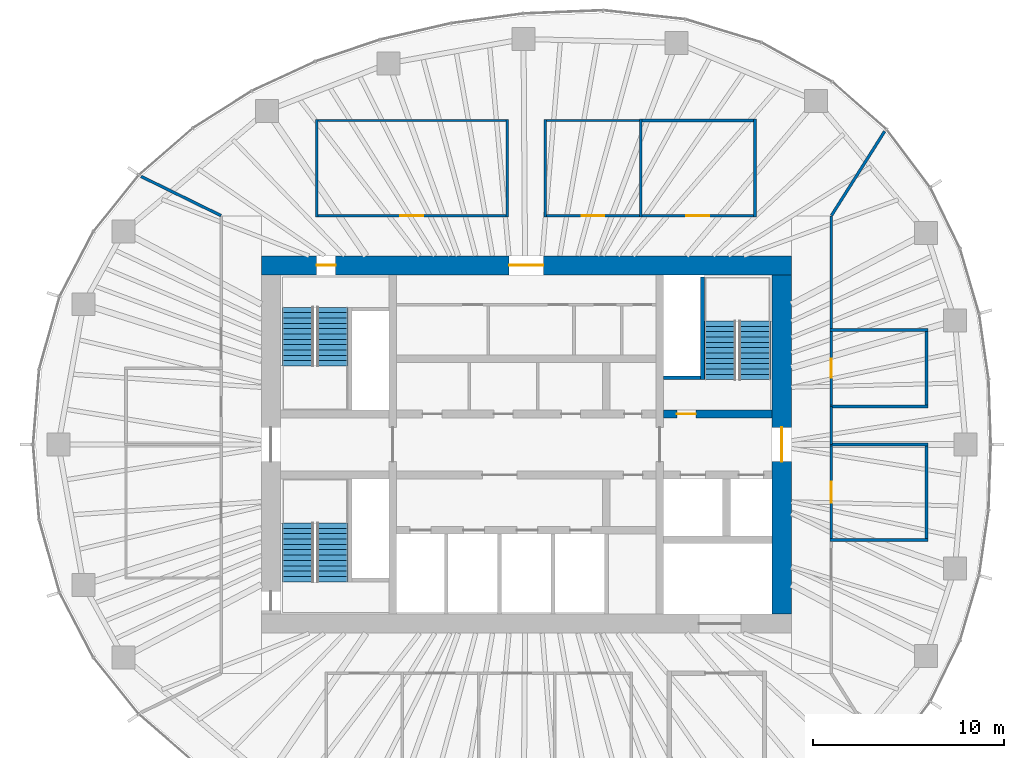
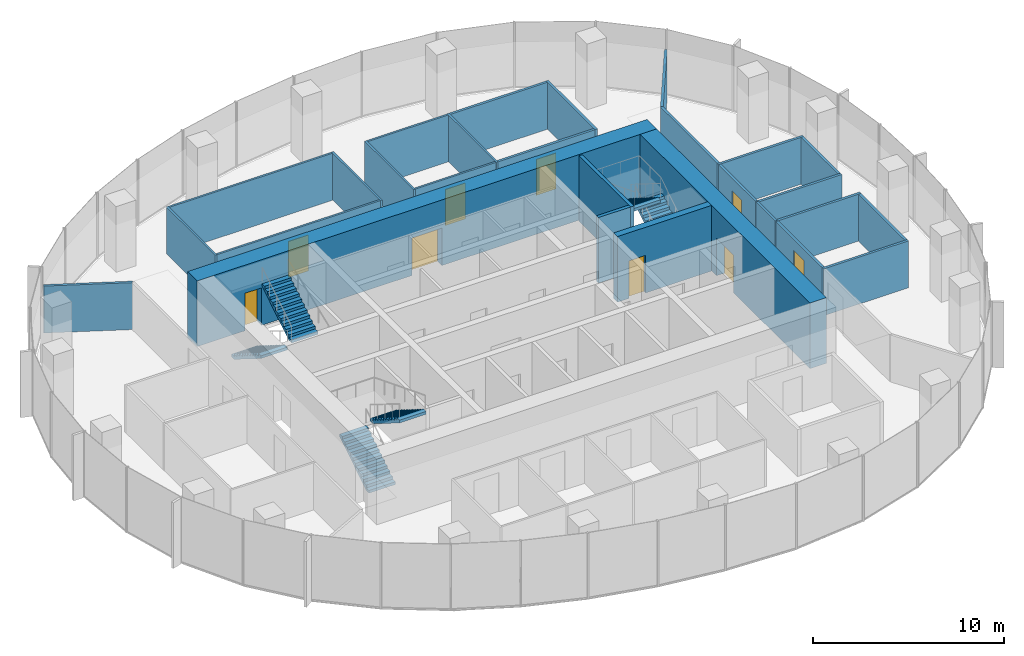
# One storey, part 10 of 11: 28 walls, 9 doors, 6 stair flights, 9 openings, 3 elements without a shape of their own.
"""IFC4 building model written with IfcOpenShell, lengths in metres."""

from ifc_helpers import new_model, si_unit, direction, frame, frame_2d, origin, place, context, subcontext, project, spatial, polyline, rectangle, outline, extrude, material, layer, layer_set, type_object, element, fill, aggregate, save


model = new_model("IFC4")

# Units and contexts
model_context = context("Model", 3, precision=1e-05, world=origin(), true_north=direction((0.0, 1.0)))
body_context = subcontext(model_context, "Body", "Model", "MODEL_VIEW")
ifc_project = project(units=[si_unit("LENGTHUNIT", "METRE"), si_unit("AREAUNIT", "SQUARE_METRE"), si_unit("VOLUMEUNIT", "CUBIC_METRE"), si_unit("PLANEANGLEUNIT", "RADIAN"), si_unit("MASSUNIT", "GRAM", prefix="KILO")], contexts=[model_context])

# Site, building, storey
site_placement = place(None, origin())
site = spatial("IfcSite", under=ifc_project, at=site_placement, CompositionType="ELEMENT")
building_placement = place(site_placement, origin())
building = spatial("IfcBuilding", under=site, at=building_placement, Name="Ghaith Harvest Tower", CompositionType="ELEMENT")
storey_placement = place(building_placement, frame((0.0, 0.0, 275.39990234375)))
storey = spatial("IfcBuildingStorey", under=building, at=storey_placement, Name="L61", CompositionType="ELEMENT", Elevation=275.39990234375)

# Wall, openings, doors
ifc_material_1 = material(Name="Concrete C50/60", Category="concrete")
ifc_layer_1 = layer(ifc_material_1, 1.0)
ifc_layer_set_1 = layer_set([ifc_layer_1], Name="CORE WALL CW1000")
wall_type_1 = type_object("IfcWallType", Name="CORE WALL CW1000", PredefinedType="SHEAR", material=ifc_layer_set_1)
wall_1_placement = place(storey_placement, frame((13.89990234375, 9.39990234375, 0.0), z_axis=(0.0, 0.0, 1.0), x_axis=(-1.0, 0.0, 0.0)))
wall_1 = element("IfcWall", 1, at=wall_1_placement, inside=storey, type_object=wall_type_1, Name="Core wall N L61", PredefinedType="SHEAR", context=body_context, shape_type="SweptSolid", body=[
    extrude(rectangle(XDim=27.7998046875, YDim=1.0, at=frame_2d((13.89990234375, 0.0))), origin(), (0.0, 0.0, 1.0), 4.2001953125),
])
opening_1_placement = place(wall_1_placement, frame((23.89990234375, 0.0, 0.0)))
opening_1 = element("IfcOpeningElement", 2, at=opening_1_placement, cuts=wall_1, Name="Opening 61-005", PredefinedType="OPENING", context=body_context, shape_type="SweptSolid", body=[
    extrude(rectangle(XDim=1.0, YDim=2.39990234375, at=frame_2d((0.5, 1.199951171875))), frame((0.0, 0.510009765625, 0.0), z_axis=(0.0, -1.0, 0.0), x_axis=(1.0, 0.0, 0.0)), (0.0, 0.0, 1.0), 1.02001953125),
])
opening_2_placement = place(wall_1_placement, frame((13.0, 0.0, 0.0)))
opening_2 = element("IfcOpeningElement", 3, at=opening_2_placement, cuts=wall_1, Name="Opening 61-018", PredefinedType="OPENING", context=body_context, shape_type="SweptSolid", body=[
    extrude(rectangle(XDim=1.800048828125, YDim=2.39990234375, at=frame_2d((0.89990234375, 1.199951171875))), frame((0.0, 0.510009765625, 0.0), z_axis=(0.0, -1.0, 0.0), x_axis=(1.0, 0.0, 0.0)), (0.0, 0.0, 1.0), 1.02001953125),
])
ifc_material_2 = material(Name="Steel fire door", Category="steel")
door_type_1 = type_object("IfcDoorType", Name="D3 FD90 1000x2400", OperationType="SINGLE_SWING_LEFT", PredefinedType="DOOR", material=ifc_material_2)
door_1_placement = place(opening_1_placement, origin())
door_1 = element("IfcDoor", 4, at=door_1_placement, inside=storey, type_object=door_type_1, Name="Stair ST1 door", OperationType="SINGLE_SWING_RIGHT", OverallHeight=2.39990234375, OverallWidth=1.0, PredefinedType="DOOR", context=body_context, shape_type="SweptSolid", body=[
    extrude(rectangle(XDim=1.0, YDim=2.39990234375, at=frame_2d((0.5, 1.199951171875))), frame((0.0, 0.02490234375, 0.0), z_axis=(0.0, -1.0, 0.0), x_axis=(1.0, 0.0, 0.0)), (0.0, 0.0, 1.0), 0.050048828125),
])
fill(opening_1, door_1)
ifc_material_3 = material(Name="Steel fire door", Category="steel")
door_type_2 = type_object("IfcDoorType", Name="D4 FD90 PAIR 1800x2400", OperationType="DOUBLE_DOOR_SINGLE_SWING", PredefinedType="DOOR", material=ifc_material_3)
door_2_placement = place(opening_2_placement, origin())
door_2 = element("IfcDoor", 5, at=door_2_placement, inside=storey, type_object=door_type_2, Name="Core service corridor doors", OperationType="DOUBLE_DOOR_SINGLE_SWING", OverallHeight=2.39990234375, OverallWidth=1.800048828125, PredefinedType="DOOR", context=body_context, shape_type="SweptSolid", body=[
    extrude(rectangle(XDim=1.800048828125, YDim=2.39990234375, at=frame_2d((0.89990234375, 1.199951171875))), frame((0.0, 0.02490234375, 0.0), z_axis=(0.0, -1.0, 0.0), x_axis=(1.0, 0.0, 0.0)), (0.0, 0.0, 1.0), 0.050048828125),
])
fill(opening_2, door_2)

# Wall, opening, door
wall_2_placement = place(storey_placement, frame((13.39990234375, -8.89990234375, 0.0), z_axis=(0.0, 0.0, 1.0), x_axis=(0.0, 1.0, 0.0)))
wall_2 = element("IfcWall", 6, at=wall_2_placement, inside=storey, type_object=wall_type_1, Name="Core wall E L61", PredefinedType="SHEAR", context=body_context, shape_type="SweptSolid", body=[
    extrude(rectangle(XDim=17.7998046875, YDim=1.0, at=frame_2d((8.89990234375, 0.0))), origin(), (0.0, 0.0, 1.0), 4.2001953125),
])
opening_3_placement = place(wall_2_placement, frame((8.0, 0.0, 0.0)))
opening_3 = element("IfcOpeningElement", 7, at=opening_3_placement, cuts=wall_2, Name="Opening 61-002", PredefinedType="OPENING", context=body_context, shape_type="SweptSolid", body=[
    extrude(rectangle(XDim=1.800048828125, YDim=2.39990234375, at=frame_2d((0.89990234375, 1.199951171875))), frame((0.0, 0.510009765625, 0.0), z_axis=(0.0, -1.0, 0.0), x_axis=(1.0, 0.0, 0.0)), (0.0, 0.0, 1.0), 1.02001953125),
])
door_3_placement = place(opening_3_placement, origin())
door_3 = element("IfcDoor", 8, at=door_3_placement, inside=storey, type_object=door_type_2, Name="Fire-fighting lobby doors", OperationType="DOUBLE_DOOR_SINGLE_SWING", OverallHeight=2.39990234375, OverallWidth=1.800048828125, PredefinedType="DOOR", context=body_context, shape_type="SweptSolid", body=[
    extrude(rectangle(XDim=1.800048828125, YDim=2.39990234375, at=frame_2d((0.89990234375, 1.199951171875))), frame((0.0, 0.02490234375, 0.0), z_axis=(0.0, -1.0, 0.0), x_axis=(1.0, 0.0, 0.0)), (0.0, 0.0, 1.0), 0.050048828125),
])
fill(opening_3, door_3)

# Walls
ifc_material_4 = material(Name="Insulated food-grade panel", Category="steel")
ifc_layer_2 = layer(ifc_material_4, 0.1201171875)
ifc_layer_set_2 = layer_set([ifc_layer_2], Name="INSULATED PANEL WALL 120")
wall_type_2 = type_object("IfcWallType", Name="INSULATED PANEL WALL 120", PredefinedType="PARTITIONING", material=ifc_layer_set_2)
for number, where, z_axis, x_axis, name in (
    (9, (-11.0, 11.93994140625, 0.0), (0.0, 0.0, 1.0), (0.0, 1.0, 0.0), "Partition L61 row N1 cross wall 1"),
    (10, (-1.0, 11.93994140625, 0.0), (0.0, 0.0, 1.0), (0.0, 1.0, 0.0), "Partition L61 row N1 cross wall 2"),
):
    element("IfcWall", number, at=place(storey_placement, frame(where, z_axis=z_axis, x_axis=x_axis)), inside=storey, type_object=wall_type_2, Name=name, PredefinedType="PARTITIONING", context=body_context, shape_type="SweptSolid", body=[
        extrude(rectangle(XDim=5.1201171875, YDim=0.1201171875, at=frame_2d((2.56005859375, 0.0))), origin(), (0.0, 0.0, 1.0), 3.0),
    ])

# Wall, opening, door
wall_3_placement = place(storey_placement, frame((-10.93994140625, 12.0, 0.0), z_axis=(0.0, 0.0, 1.0), x_axis=(1.0, 0.0, 0.0)))
wall_3 = element("IfcWall", 11, at=wall_3_placement, inside=storey, type_object=wall_type_2, Name="Partition L61-01", PredefinedType="PARTITIONING", context=body_context, shape_type="SweptSolid", body=[
    extrude(rectangle(XDim=9.8798828125, YDim=0.1201171875, at=frame_2d((4.93994140625, 0.0))), origin(), (0.0, 0.0, 1.0), 3.0),
])
opening_4_placement = place(wall_3_placement, frame((4.340087890625, 0.0, 0.0)))
opening_4 = element("IfcOpeningElement", 12, at=opening_4_placement, cuts=wall_3, Name="Opening 61-026", PredefinedType="OPENING", context=body_context, shape_type="SweptSolid", body=[
    extrude(rectangle(XDim=1.199951171875, YDim=2.300048828125, at=frame_2d((0.60009765625, 1.14990234375))), frame((0.0, 0.070068359375, 0.0), z_axis=(0.0, -1.0, 0.0), x_axis=(1.0, 0.0, 0.0)), (0.0, 0.0, 1.0), 0.14013671875),
])
ifc_material_5 = material(Name="Timber door with vision panel", Category="wood")
door_type_3 = type_object("IfcDoorType", Name="D15 LABORATORY 1200x2300", OperationType="SINGLE_SWING_LEFT", PredefinedType="DOOR", material=ifc_material_5)
door_4_placement = place(opening_4_placement, origin())
door_4 = element("IfcDoor", 13, at=door_4_placement, inside=storey, type_object=door_type_3, Name="Tissue culture laboratory door", OperationType="SINGLE_SWING_LEFT", OverallHeight=2.300048828125, OverallWidth=1.199951171875, PredefinedType="DOOR", context=body_context, shape_type="SweptSolid", body=[
    extrude(rectangle(XDim=1.199951171875, YDim=2.300048828125, at=frame_2d((0.60009765625, 1.14990234375))), frame((0.0, 0.02490234375, 0.0), z_axis=(0.0, -1.0, 0.0), x_axis=(1.0, 0.0, 0.0)), (0.0, 0.0, 1.0), 0.050048828125),
])
fill(opening_4, door_4)

# Walls
wall_4_placement = place(storey_placement, frame((-10.93994140625, 17.0, 0.0), z_axis=(0.0, 0.0, 1.0), x_axis=(1.0, 0.0, 0.0)))
element("IfcWall", 14, at=wall_4_placement, inside=storey, type_object=wall_type_2, Name="Partition L61-01", PredefinedType="PARTITIONING", context=body_context, shape_type="SweptSolid", body=[
    extrude(rectangle(XDim=9.8798828125, YDim=0.1201171875, at=frame_2d((4.93994140625, 0.0))), origin(), (0.0, 0.0, 1.0), 3.0),
])
wall_5_placement = place(storey_placement, frame((1.0, 11.93994140625, 0.0), z_axis=(0.0, 0.0, 1.0), x_axis=(0.0, 1.0, 0.0)))
element("IfcWall", 15, at=wall_5_placement, inside=storey, type_object=wall_type_2, Name="Partition L61 row N2 cross wall 1", PredefinedType="PARTITIONING", context=body_context, shape_type="SweptSolid", body=[
    extrude(rectangle(XDim=5.1201171875, YDim=0.1201171875, at=frame_2d((2.56005859375, 0.0))), origin(), (0.0, 0.0, 1.0), 3.0),
])
wall_6_placement = place(storey_placement, frame((6.0, 11.925048828125, 0.0), z_axis=(0.0, 0.0, 1.0), x_axis=(0.0, 1.0, 0.0)))
element("IfcWall", 16, at=wall_6_placement, inside=storey, type_object=wall_type_2, Name="Partition L61 row N2 cross wall 2", PredefinedType="PARTITIONING", context=body_context, shape_type="SweptSolid", body=[
    extrude(rectangle(XDim=5.14990234375, YDim=0.1201171875, at=frame_2d((2.574951171875, 0.0))), origin(), (0.0, 0.0, 1.0), 3.0),
])

# Wall, opening, door
wall_7_placement = place(storey_placement, frame((1.06005859375, 12.0, 0.0), z_axis=(0.0, 0.0, 1.0), x_axis=(1.0, 0.0, 0.0)))
wall_7 = element("IfcWall", 17, at=wall_7_placement, inside=storey, type_object=wall_type_2, Name="Partition L61-02", PredefinedType="PARTITIONING", context=body_context, shape_type="SweptSolid", body=[
    extrude(rectangle(XDim=4.8798828125, YDim=0.1201171875, at=frame_2d((2.43994140625, 0.0))), origin(), (0.0, 0.0, 1.0), 3.0),
])
opening_5_placement = place(wall_7_placement, frame((1.840087890625, 0.0, 0.0)))
opening_5 = element("IfcOpeningElement", 18, at=opening_5_placement, cuts=wall_7, Name="Opening 61-027", PredefinedType="OPENING", context=body_context, shape_type="SweptSolid", body=[
    extrude(rectangle(XDim=1.199951171875, YDim=2.300048828125, at=frame_2d((0.60009765625, 1.14990234375))), frame((0.0, 0.070068359375, 0.0), z_axis=(0.0, -1.0, 0.0), x_axis=(1.0, 0.0, 0.0)), (0.0, 0.0, 1.0), 0.14013671875),
])
door_5_placement = place(opening_5_placement, origin())
door_5 = element("IfcDoor", 19, at=door_5_placement, inside=storey, type_object=door_type_3, Name="Sterile transfer room door", OperationType="SINGLE_SWING_LEFT", OverallHeight=2.300048828125, OverallWidth=1.199951171875, PredefinedType="DOOR", context=body_context, shape_type="SweptSolid", body=[
    extrude(rectangle(XDim=1.199951171875, YDim=2.300048828125, at=frame_2d((0.60009765625, 1.14990234375))), frame((0.0, 0.02490234375, 0.0), z_axis=(0.0, -1.0, 0.0), x_axis=(1.0, 0.0, 0.0)), (0.0, 0.0, 1.0), 0.050048828125),
])
fill(opening_5, door_5)

# Walls
wall_8_placement = place(storey_placement, frame((1.06005859375, 17.0, 0.0), z_axis=(0.0, 0.0, 1.0), x_axis=(1.0, 0.0, 0.0)))
element("IfcWall", 20, at=wall_8_placement, inside=storey, type_object=wall_type_2, Name="Partition L61-02", PredefinedType="PARTITIONING", context=body_context, shape_type="SweptSolid", body=[
    extrude(rectangle(XDim=4.8798828125, YDim=0.1201171875, at=frame_2d((2.43994140625, 0.0))), origin(), (0.0, 0.0, 1.0), 3.0),
])
ifc_material_6 = material(Name="Gypsum board on steel studs", Category="steel")
ifc_layer_3 = layer(ifc_material_6, 0.14990234375)
ifc_layer_set_3 = layer_set([ifc_layer_3], Name="PARTITION 150")
wall_type_3 = type_object("IfcWallType", Name="PARTITION 150", PredefinedType="PARTITIONING", material=ifc_layer_set_3)
wall_9_placement = place(storey_placement, frame((12.0, 11.925048828125, 0.0), z_axis=(0.0, 0.0, 1.0), x_axis=(0.0, 1.0, 0.0)))
element("IfcWall", 21, at=wall_9_placement, inside=storey, type_object=wall_type_3, Name="Partition L61 row N2 cross wall 3", PredefinedType="PARTITIONING", context=body_context, shape_type="SweptSolid", body=[
    extrude(rectangle(XDim=5.14990234375, YDim=0.14990234375, at=frame_2d((2.574951171875, 0.0))), origin(), (0.0, 0.0, 1.0), 3.0),
])

# Wall, opening, door
wall_10_placement = place(storey_placement, frame((6.06005859375, 12.0, 0.0), z_axis=(0.0, 0.0, 1.0), x_axis=(1.0, 0.0, 0.0)))
wall_10 = element("IfcWall", 22, at=wall_10_placement, inside=storey, type_object=wall_type_3, Name="Partition L61-03", PredefinedType="PARTITIONING", context=body_context, shape_type="SweptSolid", body=[
    extrude(rectangle(XDim=5.864990234375, YDim=0.14990234375, at=frame_2d((2.9326171875, 0.0))), origin(), (0.0, 0.0, 1.0), 3.0),
])
opening_6_placement = place(wall_10_placement, frame((2.33251953125, 0.0, 0.0)))
opening_6 = element("IfcOpeningElement", 23, at=opening_6_placement, cuts=wall_10, Name="Opening 61-028", PredefinedType="OPENING", context=body_context, shape_type="SweptSolid", body=[
    extrude(rectangle(XDim=1.199951171875, YDim=2.300048828125, at=frame_2d((0.60009765625, 1.14990234375))), frame((0.0, 0.0849609375, 0.0), z_axis=(0.0, -1.0, 0.0), x_axis=(1.0, 0.0, 0.0)), (0.0, 0.0, 1.0), 0.169921875),
])
door_6_placement = place(opening_6_placement, origin())
door_6 = element("IfcDoor", 24, at=door_6_placement, inside=storey, type_object=door_type_3, Name="Media preparation room door", OperationType="SINGLE_SWING_LEFT", OverallHeight=2.300048828125, OverallWidth=1.199951171875, PredefinedType="DOOR", context=body_context, shape_type="SweptSolid", body=[
    extrude(rectangle(XDim=1.199951171875, YDim=2.300048828125, at=frame_2d((0.60009765625, 1.14990234375))), frame((0.0, 0.02490234375, 0.0), z_axis=(0.0, -1.0, 0.0), x_axis=(1.0, 0.0, 0.0)), (0.0, 0.0, 1.0), 0.050048828125),
])
fill(opening_6, door_6)

# Walls
wall_11_placement = place(storey_placement, frame((6.06005859375, 17.0, 0.0), z_axis=(0.0, 0.0, 1.0), x_axis=(1.0, 0.0, 0.0)))
element("IfcWall", 25, at=wall_11_placement, inside=storey, type_object=wall_type_3, Name="Partition L61-03", PredefinedType="PARTITIONING", context=body_context, shape_type="SweptSolid", body=[
    extrude(rectangle(XDim=5.864990234375, YDim=0.14990234375, at=frame_2d((2.9326171875, 0.0))), origin(), (0.0, 0.0, 1.0), 3.0),
])
for number, where, z_axis, x_axis, name in (
    (26, (15.925048828125, -5.0, 0.0), (0.0, 0.0, 1.0), (1.0, 0.0, 0.0), "Partition L61 row E6 cross wall 1"),
    (27, (15.925048828125, 0.0, 0.0), (0.0, 0.0, 1.0), (1.0, 0.0, 0.0), "Partition L61 row E6 cross wall 2"),
):
    element("IfcWall", number, at=place(storey_placement, frame(where, z_axis=z_axis, x_axis=x_axis)), inside=storey, type_object=wall_type_3, Name=name, PredefinedType="PARTITIONING", context=body_context, shape_type="SweptSolid", body=[
        extrude(rectangle(XDim=5.14990234375, YDim=0.14990234375, at=frame_2d((2.574951171875, 0.0))), origin(), (0.0, 0.0, 1.0), 3.0),
    ])

# Wall, opening, door
wall_12_placement = place(storey_placement, frame((16.0, -4.925048828125, 0.0), z_axis=(0.0, 0.0, 1.0), x_axis=(0.0, 1.0, 0.0)))
wall_12 = element("IfcWall", 28, at=wall_12_placement, inside=storey, type_object=wall_type_3, Name="Partition L61-11", PredefinedType="PARTITIONING", context=body_context, shape_type="SweptSolid", body=[
    extrude(rectangle(XDim=4.85009765625, YDim=0.14990234375, at=frame_2d((2.425048828125, 0.0))), origin(), (0.0, 0.0, 1.0), 3.0),
])
opening_7_placement = place(wall_12_placement, frame((1.875, 0.0, 0.0)))
opening_7 = element("IfcOpeningElement", 29, at=opening_7_placement, cuts=wall_12, Name="Opening 61-036", PredefinedType="OPENING", context=body_context, shape_type="SweptSolid", body=[
    extrude(rectangle(XDim=1.10009765625, YDim=2.300048828125, at=frame_2d((0.550048828125, 1.14990234375))), frame((0.0, 0.0849609375, 0.0), z_axis=(0.0, -1.0, 0.0), x_axis=(1.0, 0.0, 0.0)), (0.0, 0.0, 1.0), 0.169921875),
])
ifc_material_7 = material(Name="Timber-framed glazed door", Category="wood")
door_type_4 = type_object("IfcDoorType", Name="D12 GLAZED OFFICE 1100x2300", OperationType="SINGLE_SWING_LEFT", PredefinedType="DOOR", material=ifc_material_7)
door_7_placement = place(opening_7_placement, origin())
door_7 = element("IfcDoor", 30, at=door_7_placement, inside=storey, type_object=door_type_4, Name="Crop office door", OperationType="SINGLE_SWING_LEFT", OverallHeight=2.300048828125, OverallWidth=1.10009765625, PredefinedType="DOOR", context=body_context, shape_type="SweptSolid", body=[
    extrude(rectangle(XDim=1.10009765625, YDim=2.300048828125, at=frame_2d((0.550048828125, 1.14990234375))), frame((0.0, 0.02490234375, 0.0), z_axis=(0.0, -1.0, 0.0), x_axis=(1.0, 0.0, 0.0)), (0.0, 0.0, 1.0), 0.050048828125),
])
fill(opening_7, door_7)

# Walls
wall_13_placement = place(storey_placement, frame((21.0, -4.925048828125, 0.0), z_axis=(0.0, 0.0, 1.0), x_axis=(0.0, 1.0, 0.0)))
element("IfcWall", 31, at=wall_13_placement, inside=storey, type_object=wall_type_3, Name="Partition L61-11", PredefinedType="PARTITIONING", context=body_context, shape_type="SweptSolid", body=[
    extrude(rectangle(XDim=4.85009765625, YDim=0.14990234375, at=frame_2d((2.425048828125, 0.0))), origin(), (0.0, 0.0, 1.0), 3.0),
])
for number, where, z_axis, x_axis, name in (
    (32, (15.925048828125, 2.0, 0.0), (0.0, 0.0, 1.0), (1.0, 0.0, 0.0), "Partition L61 row E7 cross wall 1"),
    (33, (15.925048828125, 6.0, 0.0), (0.0, 0.0, 1.0), (1.0, 0.0, 0.0), "Partition L61 row E7 cross wall 2"),
):
    element("IfcWall", number, at=place(storey_placement, frame(where, z_axis=z_axis, x_axis=x_axis)), inside=storey, type_object=wall_type_3, Name=name, PredefinedType="PARTITIONING", context=body_context, shape_type="SweptSolid", body=[
        extrude(rectangle(XDim=5.14990234375, YDim=0.14990234375, at=frame_2d((2.574951171875, 0.0))), origin(), (0.0, 0.0, 1.0), 3.0),
    ])

# Wall, opening, door
wall_14_placement = place(storey_placement, frame((16.0, 2.074951171875, 0.0), z_axis=(0.0, 0.0, 1.0), x_axis=(0.0, 1.0, 0.0)))
wall_14 = element("IfcWall", 34, at=wall_14_placement, inside=storey, type_object=wall_type_3, Name="Partition L61-12", PredefinedType="PARTITIONING", context=body_context, shape_type="SweptSolid", body=[
    extrude(rectangle(XDim=3.85009765625, YDim=0.14990234375, at=frame_2d((1.925048828125, 0.0))), origin(), (0.0, 0.0, 1.0), 3.0),
])
opening_8_placement = place(wall_14_placement, frame((1.425048828125, 0.0, 0.0)))
opening_8 = element("IfcOpeningElement", 35, at=opening_8_placement, cuts=wall_14, Name="Opening 61-037", PredefinedType="OPENING", context=body_context, shape_type="SweptSolid", body=[
    extrude(rectangle(XDim=1.0, YDim=2.199951171875, at=frame_2d((0.5, 1.10009765625))), frame((0.0, 0.0849609375, 0.0), z_axis=(0.0, -1.0, 0.0), x_axis=(1.0, 0.0, 0.0)), (0.0, 0.0, 1.0), 0.169921875),
])
ifc_material_8 = material(Name="Timber door", Category="wood")
door_type_5 = type_object("IfcDoorType", Name="D1 SINGLE 1000x2200", OperationType="SINGLE_SWING_LEFT", PredefinedType="DOOR", material=ifc_material_8)
door_8_placement = place(opening_8_placement, origin())
door_8 = element("IfcDoor", 36, at=door_8_placement, inside=storey, type_object=door_type_5, Name="Microscopy room door", OperationType="SINGLE_SWING_LEFT", OverallHeight=2.199951171875, OverallWidth=1.0, PredefinedType="DOOR", context=body_context, shape_type="SweptSolid", body=[
    extrude(rectangle(XDim=1.0, YDim=2.199951171875, at=frame_2d((0.5, 1.10009765625))), frame((0.0, 0.02490234375, 0.0), z_axis=(0.0, -1.0, 0.0), x_axis=(1.0, 0.0, 0.0)), (0.0, 0.0, 1.0), 0.050048828125),
])
fill(opening_8, door_8)

# Walls
wall_15_placement = place(storey_placement, frame((21.0, 2.074951171875, 0.0), z_axis=(0.0, 0.0, 1.0), x_axis=(0.0, 1.0, 0.0)))
element("IfcWall", 37, at=wall_15_placement, inside=storey, type_object=wall_type_3, Name="Partition L61-12", PredefinedType="PARTITIONING", context=body_context, shape_type="SweptSolid", body=[
    extrude(rectangle(XDim=3.85009765625, YDim=0.14990234375, at=frame_2d((1.925048828125, 0.0))), origin(), (0.0, 0.0, 1.0), 3.0),
])
wall_16_placement = place(storey_placement, frame((-16.017822265625, 12.0087890625, 0.0), z_axis=(0.0, 0.0, 1.0), x_axis=(-0.897771840996, 0.440460805879, 0.0)))
element("IfcWall", 38, at=wall_16_placement, inside=storey, type_object=wall_type_3, Name="Partition L61 zone division", PredefinedType="PARTITIONING", context=body_context, shape_type="SweptSolid", body=[
    extrude(rectangle(XDim=4.66552734375, YDim=0.14990234375, at=frame_2d((2.332763671875, 0.0))), origin(), (0.0, 0.0, 1.0), 3.0),
])
wall_17_placement = place(storey_placement, frame((16.0107421875, 12.016845703125, 0.0), z_axis=(0.0, 0.0, 1.0), x_axis=(0.53415837449, 0.845384427916, 0.0)))
element("IfcWall", 39, at=wall_17_placement, inside=storey, type_object=wall_type_3, Name="Partition L61 zone division", PredefinedType="PARTITIONING", context=body_context, shape_type="SweptSolid", body=[
    extrude(rectangle(XDim=5.220458984375, YDim=0.14990234375, at=frame_2d((2.6103515625, 0.0))), origin(), (0.0, 0.0, 1.0), 3.0),
])
wall_18_placement = place(storey_placement, frame((16.0, 0.0, 0.0), z_axis=(0.0, 0.0, 1.0), x_axis=(0.0, 1.0, 0.0)))
element("IfcWall", 40, at=wall_18_placement, inside=storey, type_object=wall_type_3, Name="Partition L61 zone enclosure", PredefinedType="PARTITIONING", context=body_context, shape_type="SweptSolid", body=[
    extrude(rectangle(XDim=2.0, YDim=0.14990234375, at=frame_2d((1.0, 0.0))), origin(), (0.0, 0.0, 1.0), 3.0),
])
wall_19_placement = place(storey_placement, frame((16.0, 6.0, 0.0), z_axis=(0.0, 0.0, 1.0), x_axis=(0.0, 1.0, 0.0)))
element("IfcWall", 41, at=wall_19_placement, inside=storey, type_object=wall_type_3, Name="Partition L61 zone enclosure", PredefinedType="PARTITIONING", context=body_context, shape_type="SweptSolid", body=[
    extrude(rectangle(XDim=6.0, YDim=0.14990234375, at=frame_2d((3.0, 0.0))), origin(), (0.0, 0.0, 1.0), 3.0),
])

# Wall, opening, door
ifc_material_9 = material(Name="Concrete C70/85", Category="concrete")
ifc_layer_4 = layer(ifc_material_9, 0.39990234375)
ifc_layer_set_4 = layer_set([ifc_layer_4], Name="SHAFT WALL 400")
wall_type_4 = type_object("IfcWallType", Name="SHAFT WALL 400", PredefinedType="SHEAR", material=ifc_layer_set_4)
wall_20_placement = place(storey_placement, frame((7.199951171875, 1.60009765625, 0.0), z_axis=(0.0, 0.0, 1.0), x_axis=(1.0, 0.0, 0.0)))
wall_20 = element("IfcWall", 42, at=wall_20_placement, inside=storey, type_object=wall_type_4, Name="Shaft wall EN L61", PredefinedType="SHEAR", context=body_context, shape_type="SweptSolid", body=[
    extrude(rectangle(XDim=5.699951171875, YDim=0.39990234375, at=frame_2d((2.85009765625, 0.0))), origin(), (0.0, 0.0, 1.0), 4.2001953125),
])
opening_9_placement = place(wall_20_placement, frame((0.699951171875, 0.0, 0.0)))
opening_9 = element("IfcOpeningElement", 43, at=opening_9_placement, cuts=wall_20, Name="Opening 61-007", PredefinedType="OPENING", context=body_context, shape_type="SweptSolid", body=[
    extrude(rectangle(XDim=1.0, YDim=2.39990234375, at=frame_2d((0.5, 1.199951171875))), frame((0.0, 0.2099609375, 0.0), z_axis=(0.0, -1.0, 0.0), x_axis=(1.0, 0.0, 0.0)), (0.0, 0.0, 1.0), 0.419921875),
])
door_9_placement = place(opening_9_placement, origin())
door_9 = element("IfcDoor", 44, at=door_9_placement, inside=storey, type_object=door_type_1, Name="Stair ST2 door", OperationType="SINGLE_SWING_LEFT", OverallHeight=2.39990234375, OverallWidth=1.0, PredefinedType="DOOR", context=body_context, shape_type="SweptSolid", body=[
    extrude(rectangle(XDim=1.0, YDim=2.39990234375, at=frame_2d((0.5, 1.199951171875))), frame((0.0, 0.02490234375, 0.0), z_axis=(0.0, -1.0, 0.0), x_axis=(1.0, 0.0, 0.0)), (0.0, 0.0, 1.0), 0.050048828125),
])
fill(opening_9, door_9)

# Walls
ifc_material_10 = material(Name="Concrete C40/50", Category="concrete")
ifc_layer_5 = layer(ifc_material_10, 0.199951171875)
ifc_layer_set_5 = layer_set([ifc_layer_5], Name="STAIR SPINE WALL RC200")
wall_type_5 = type_object("IfcWallType", Name="STAIR SPINE WALL RC200", PredefinedType="SOLIDWALL", material=ifc_layer_set_5)
wall_21_placement = place(storey_placement, frame((9.25, 3.39990234375, 0.0), z_axis=(0.0, 0.0, 1.0), x_axis=(0.0, 1.0, 0.0)))
element("IfcWall", 45, at=wall_21_placement, inside=storey, type_object=wall_type_5, Name="Stair ST2 spine wall L61", PredefinedType="SOLIDWALL", context=body_context, shape_type="SweptSolid", body=[
    extrude(rectangle(XDim=5.400146484375, YDim=0.199951171875, at=frame_2d((2.7001953125, 0.0))), origin(), (0.0, 0.0, 1.0), 4.2001953125),
])
wall_22_placement = place(storey_placement, frame((9.14990234375, 3.5, 0.0), z_axis=(0.0, 0.0, 1.0), x_axis=(-1.0, 0.0, 0.0)))
element("IfcWall", 46, at=wall_22_placement, inside=storey, type_object=wall_type_5, Name="Stair ST2 spine wall return L61", PredefinedType="SOLIDWALL", context=body_context, shape_type="SweptSolid", body=[
    extrude(rectangle(XDim=1.949951171875, YDim=0.199951171875, at=frame_2d((0.97509765625, 0.0))), origin(), (0.0, 0.0, 1.0), 4.2001953125),
])

# Stair, stair flights
ifc_material_11 = material(Name="Concrete C40/50, precast", Category="concrete")
stair_type = type_object("IfcStairType", Name="CORE STAIR 24R", PredefinedType="HALF_TURN_STAIR", material=ifc_material_11)
stair_1_placement = place(storey_placement, origin())
stair_1 = element("IfcStair", 47, at=stair_1_placement, inside=storey, type_object=stair_type, Name="Stair ST1 L61", PredefinedType="HALF_TURN_STAIR")
ifc_material_12 = material(Name="Concrete C40/50, precast", Category="concrete")
stair_flight_type = type_object("IfcStairFlightType", Name="CORE FLIGHT 12R 1600", PredefinedType="STRAIGHT", material=ifc_material_12)
stair_flight_1_placement = place(storey_placement, frame((-12.0, 7.199951171875, 0.0), z_axis=(0.0, 0.0, 1.0), x_axis=(0.0, -1.0, 0.0)))
stair_flight_1 = element("IfcStairFlight", 48, at=stair_flight_1_placement, type_object=stair_flight_type, Name="ST1 flight 1", NumberOfRisers=12, NumberOfTreads=11, PredefinedType="STRAIGHT", RiserHeight=0.175, TreadLength=0.28, context=body_context, shape_type="SweptSolid", body=[
    extrude(outline(polyline([(0.0, 0.0), (0.0, 0.175048828125), (0.280029296875, 0.175048828125), (0.280029296875, 0.35009765625), (0.56005859375, 0.35009765625), (0.56005859375, 0.52490234375), (0.840087890625, 0.52490234375), (0.840087890625, 0.699951171875), (1.1201171875, 0.699951171875), (1.1201171875, 0.875), (1.39990234375, 0.875), (1.39990234375, 1.050048828125), (1.679931640625, 1.050048828125), (1.679931640625, 1.22509765625), (1.9599609375, 1.22509765625), (1.9599609375, 1.39990234375), (2.239990234375, 1.39990234375), (2.239990234375, 1.574951171875), (2.52001953125, 1.574951171875), (2.52001953125, 1.75), (2.800048828125, 1.75), (2.800048828125, 1.925048828125), (3.080078125, 1.925048828125), (3.080078125, 2.10009765625), (3.080078125, 1.748291015625), (0.28271484375, 0.0), (0.0, 0.0)])), frame((0.0, 0.800048828125, 0.0), z_axis=(0.0, -1.0, 0.0), x_axis=(1.0, 0.0, 0.0)), (0.0, 0.0, 1.0), 1.60009765625),
])
stair_flight_2_placement = place(storey_placement, frame((-10.14990234375, 4.1201171875, 2.10009765625), z_axis=(0.0, 0.0, 1.0), x_axis=(0.0, 1.0, 0.0)))
stair_flight_2 = element("IfcStairFlight", 49, at=stair_flight_2_placement, type_object=stair_flight_type, Name="ST1 flight 2", NumberOfRisers=12, NumberOfTreads=11, PredefinedType="STRAIGHT", RiserHeight=0.175, TreadLength=0.28, context=body_context, shape_type="SweptSolid", body=[
    extrude(outline(polyline([(0.0, 0.0), (0.0, 0.175048828125), (0.280029296875, 0.175048828125), (0.280029296875, 0.35009765625), (0.56005859375, 0.35009765625), (0.56005859375, 0.52490234375), (0.840087890625, 0.52490234375), (0.840087890625, 0.699951171875), (1.1201171875, 0.699951171875), (1.1201171875, 0.875), (1.39990234375, 0.875), (1.39990234375, 1.050048828125), (1.679931640625, 1.050048828125), (1.679931640625, 1.22509765625), (1.9599609375, 1.22509765625), (1.9599609375, 1.39990234375), (2.239990234375, 1.39990234375), (2.239990234375, 1.574951171875), (2.52001953125, 1.574951171875), (2.52001953125, 1.75), (2.800048828125, 1.75), (2.800048828125, 1.925048828125), (3.080078125, 1.925048828125), (3.080078125, 2.10009765625), (3.080078125, 1.748291015625), (0.28271484375, 0.0), (0.0, 0.0)])), frame((0.0, 0.800048828125, 0.0), z_axis=(0.0, -1.0, 0.0), x_axis=(1.0, 0.0, 0.0)), (0.0, 0.0, 1.0), 1.60009765625),
])
aggregate(stair_1, [stair_flight_1, stair_flight_2])

stair_2_placement = place(storey_placement, origin())
stair_2 = element("IfcStair", 50, at=stair_2_placement, inside=storey, type_object=stair_type, Name="Stair ST3 L61", PredefinedType="HALF_TURN_STAIR")
stair_flight_3_placement = place(storey_placement, frame((-12.0, -7.199951171875, 0.0), z_axis=(0.0, 0.0, 1.0), x_axis=(0.0, 1.0, 0.0)))
stair_flight_3 = element("IfcStairFlight", 51, at=stair_flight_3_placement, type_object=stair_flight_type, Name="ST3 flight 1", NumberOfRisers=12, NumberOfTreads=11, PredefinedType="STRAIGHT", RiserHeight=0.175, TreadLength=0.28, context=body_context, shape_type="SweptSolid", body=[
    extrude(outline(polyline([(0.0, 0.0), (0.0, 0.175048828125), (0.280029296875, 0.175048828125), (0.280029296875, 0.35009765625), (0.56005859375, 0.35009765625), (0.56005859375, 0.52490234375), (0.840087890625, 0.52490234375), (0.840087890625, 0.699951171875), (1.1201171875, 0.699951171875), (1.1201171875, 0.875), (1.39990234375, 0.875), (1.39990234375, 1.050048828125), (1.679931640625, 1.050048828125), (1.679931640625, 1.22509765625), (1.9599609375, 1.22509765625), (1.9599609375, 1.39990234375), (2.239990234375, 1.39990234375), (2.239990234375, 1.574951171875), (2.52001953125, 1.574951171875), (2.52001953125, 1.75), (2.800048828125, 1.75), (2.800048828125, 1.925048828125), (3.080078125, 1.925048828125), (3.080078125, 2.10009765625), (3.080078125, 1.748291015625), (0.28271484375, 0.0), (0.0, 0.0)])), frame((0.0, 0.800048828125, 0.0), z_axis=(0.0, -1.0, 0.0), x_axis=(1.0, 0.0, 0.0)), (0.0, 0.0, 1.0), 1.60009765625),
])
stair_flight_4_placement = place(storey_placement, frame((-10.14990234375, -4.1201171875, 2.10009765625), z_axis=(0.0, 0.0, 1.0), x_axis=(0.0, -1.0, 0.0)))
stair_flight_4 = element("IfcStairFlight", 52, at=stair_flight_4_placement, type_object=stair_flight_type, Name="ST3 flight 2", NumberOfRisers=12, NumberOfTreads=11, PredefinedType="STRAIGHT", RiserHeight=0.175, TreadLength=0.28, context=body_context, shape_type="SweptSolid", body=[
    extrude(outline(polyline([(0.0, 0.0), (0.0, 0.175048828125), (0.280029296875, 0.175048828125), (0.280029296875, 0.35009765625), (0.56005859375, 0.35009765625), (0.56005859375, 0.52490234375), (0.840087890625, 0.52490234375), (0.840087890625, 0.699951171875), (1.1201171875, 0.699951171875), (1.1201171875, 0.875), (1.39990234375, 0.875), (1.39990234375, 1.050048828125), (1.679931640625, 1.050048828125), (1.679931640625, 1.22509765625), (1.9599609375, 1.22509765625), (1.9599609375, 1.39990234375), (2.239990234375, 1.39990234375), (2.239990234375, 1.574951171875), (2.52001953125, 1.574951171875), (2.52001953125, 1.75), (2.800048828125, 1.75), (2.800048828125, 1.925048828125), (3.080078125, 1.925048828125), (3.080078125, 2.10009765625), (3.080078125, 1.748291015625), (0.28271484375, 0.0), (0.0, 0.0)])), frame((0.0, 0.800048828125, 0.0), z_axis=(0.0, -1.0, 0.0), x_axis=(1.0, 0.0, 0.0)), (0.0, 0.0, 1.0), 1.60009765625),
])
aggregate(stair_2, [stair_flight_3, stair_flight_4])

stair_3_placement = place(storey_placement, origin())
stair_3 = element("IfcStair", 53, at=stair_3_placement, inside=storey, type_object=stair_type, Name="Stair ST2 L61", PredefinedType="HALF_TURN_STAIR")
stair_flight_5_placement = place(storey_placement, frame((12.0, 3.39990234375, 0.0), z_axis=(0.0, 0.0, 1.0), x_axis=(0.0, 1.0, 0.0)))
stair_flight_5 = element("IfcStairFlight", 54, at=stair_flight_5_placement, type_object=stair_flight_type, Name="ST2 flight 1", NumberOfRisers=12, NumberOfTreads=11, PredefinedType="STRAIGHT", RiserHeight=0.175, TreadLength=0.28, context=body_context, shape_type="SweptSolid", body=[
    extrude(outline(polyline([(0.0, 0.0), (0.0, 0.175048828125), (0.280029296875, 0.175048828125), (0.280029296875, 0.35009765625), (0.56005859375, 0.35009765625), (0.56005859375, 0.52490234375), (0.840087890625, 0.52490234375), (0.840087890625, 0.699951171875), (1.1201171875, 0.699951171875), (1.1201171875, 0.875), (1.39990234375, 0.875), (1.39990234375, 1.050048828125), (1.679931640625, 1.050048828125), (1.679931640625, 1.22509765625), (1.9599609375, 1.22509765625), (1.9599609375, 1.39990234375), (2.239990234375, 1.39990234375), (2.239990234375, 1.574951171875), (2.52001953125, 1.574951171875), (2.52001953125, 1.75), (2.800048828125, 1.75), (2.800048828125, 1.925048828125), (3.080078125, 1.925048828125), (3.080078125, 2.10009765625), (3.080078125, 1.748291015625), (0.28271484375, 0.0), (0.0, 0.0)])), frame((0.0, 0.800048828125, 0.0), z_axis=(0.0, -1.0, 0.0), x_axis=(1.0, 0.0, 0.0)), (0.0, 0.0, 1.0), 1.60009765625),
])
stair_flight_6_placement = place(storey_placement, frame((10.14990234375, 6.47998046875, 2.10009765625), z_axis=(0.0, 0.0, 1.0), x_axis=(0.0, -1.0, 0.0)))
stair_flight_6 = element("IfcStairFlight", 55, at=stair_flight_6_placement, type_object=stair_flight_type, Name="ST2 flight 2", NumberOfRisers=12, NumberOfTreads=11, PredefinedType="STRAIGHT", RiserHeight=0.175, TreadLength=0.28, context=body_context, shape_type="SweptSolid", body=[
    extrude(outline(polyline([(0.0, 0.0), (0.0, 0.175048828125), (0.280029296875, 0.175048828125), (0.280029296875, 0.35009765625), (0.56005859375, 0.35009765625), (0.56005859375, 0.52490234375), (0.840087890625, 0.52490234375), (0.840087890625, 0.699951171875), (1.1201171875, 0.699951171875), (1.1201171875, 0.875), (1.39990234375, 0.875), (1.39990234375, 1.050048828125), (1.679931640625, 1.050048828125), (1.679931640625, 1.22509765625), (1.9599609375, 1.22509765625), (1.9599609375, 1.39990234375), (2.239990234375, 1.39990234375), (2.239990234375, 1.574951171875), (2.52001953125, 1.574951171875), (2.52001953125, 1.75), (2.800048828125, 1.75), (2.800048828125, 1.925048828125), (3.080078125, 1.925048828125), (3.080078125, 2.10009765625), (3.080078125, 1.748291015625), (0.28271484375, 0.0), (0.0, 0.0)])), frame((0.0, 0.800048828125, 0.0), z_axis=(0.0, -1.0, 0.0), x_axis=(1.0, 0.0, 0.0)), (0.0, 0.0, 1.0), 1.60009765625),
])
aggregate(stair_3, [stair_flight_5, stair_flight_6])

save(model, "model.ifc")
